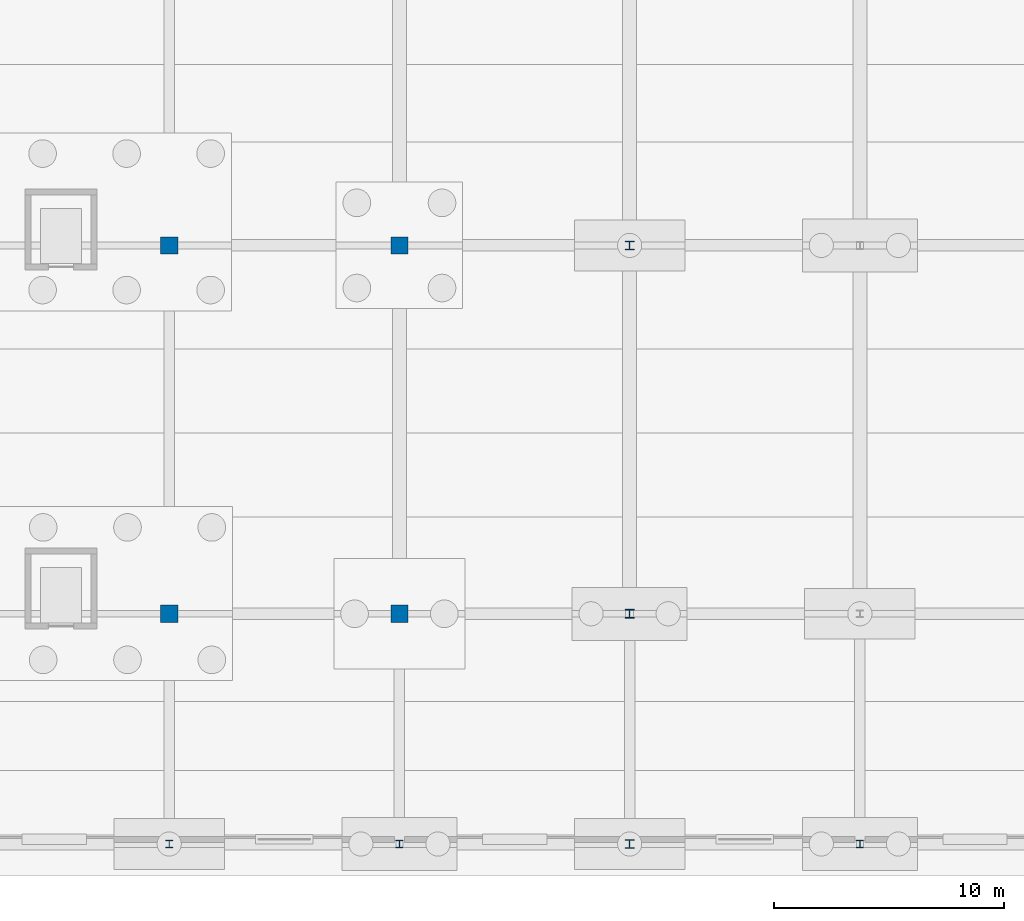
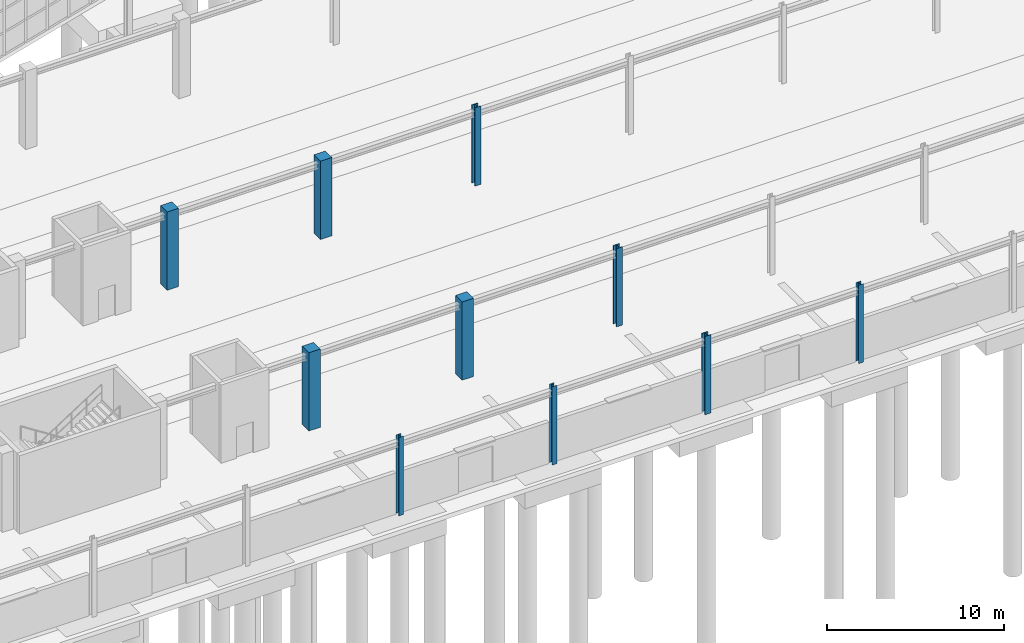
# One storey, part 13 of 99: 10 columns.
"""IFC4 building model written with IfcOpenShell, lengths in metres."""

from ifc_helpers import new_model, si_unit, direction, frame, origin, origin_2d, place, context, subcontext, project, spatial, rectangle, i_section, extrude, material, material_profile, profile_set, type_object, element, save


model = new_model("IFC4")

# Units and contexts
model_context = context("Model", 3, precision=1e-05, world=origin(), true_north=direction((0.0, 1.0)))
body_context = subcontext(model_context, "Body", "Model", "MODEL_VIEW")
ifc_project = project(units=[si_unit("LENGTHUNIT", "METRE"), si_unit("AREAUNIT", "SQUARE_METRE"), si_unit("VOLUMEUNIT", "CUBIC_METRE"), si_unit("PLANEANGLEUNIT", "RADIAN"), si_unit("MASSUNIT", "GRAM", prefix="KILO")], contexts=[model_context])

# Site, building, storey
site_placement = place(None, origin())
site = spatial("IfcSite", under=ifc_project, at=site_placement, CompositionType="ELEMENT")
building_placement = place(site_placement, origin())
building = spatial("IfcBuilding", under=site, at=building_placement, Name="Kivolera Central Railway Station", CompositionType="ELEMENT")
storey_placement = place(building_placement, origin())
storey = spatial("IfcBuildingStorey", under=building, at=storey_placement, Name="L00", CompositionType="ELEMENT", Elevation=0.0)

# Columns
ifc_material_1 = material(Name="Concrete C40/50", Category="concrete")
ifc_material_profile_1 = material_profile(ifc_material_1, rectangle(XDim=0.75, YDim=0.75, at=origin_2d()), Name="RC 750x750")
ifc_profile_set_1 = profile_set([ifc_material_profile_1], Name="Concrete C40/50")
column_type_1 = type_object("IfcColumnType", Name="COL-RC-750", PredefinedType="COLUMN", material=ifc_profile_set_1)
for number, where, z_axis, x_axis, name in (
    (1, (78.0, 16.0, 0.0), (0.0, 0.0, 1.0), (1.0, 0.0, 0.0), "L00 Train Shed Column 8-B"),
    (2, (78.0, 32.0, 0.0), (0.0, 0.0, 1.0), (1.0, 0.0, 0.0), "L00 Train Shed Column 8-C"),
    (3, (88.0, 16.0, 0.0), (0.0, 0.0, 1.0), (1.0, 0.0, 0.0), "L00 Train Shed Column 9-B"),
    (4, (88.0, 32.0, 0.0), (0.0, 0.0, 1.0), (1.0, 0.0, 0.0), "L00 Train Shed Column 9-C"),
):
    element("IfcColumn", number, at=place(storey_placement, frame(where, z_axis=z_axis, x_axis=x_axis)), inside=storey, type_object=column_type_1, Name=name, PredefinedType="COLUMN", context=body_context, shape_type="SweptSolid", body=[
        extrude(rectangle(XDim=0.75, YDim=0.75, at=origin_2d()), origin(), (0.0, 0.0, 1.0), 5.39990234375),
    ])
ifc_material_2 = material(Name="Steel S355", Category="steel")
ifc_material_profile_2 = material_profile(ifc_material_2, i_section(OverallWidth=0.30908203125, OverallDepth=0.320556640625, WebThickness=0.013916015625, FlangeThickness=0.021728515625, FilletRadius=0.01513671875, at=origin_2d()), Name="UC 305x305x137")
ifc_profile_set_2 = profile_set([ifc_material_profile_2], Name="Steel S355")
column_type_2 = type_object("IfcColumnType", Name="COL-STL-UC305", PredefinedType="COLUMN", material=ifc_profile_set_2)
for number, where, z_axis, x_axis, name in (
    (5, (78.0, 6.0, 0.0), (0.0, 0.0, 1.0), (1.0, 0.0, 0.0), "L00 Train Shed Column 8-A"),
    (6, (88.0, 6.0, 0.0), (0.0, 0.0, 1.0), (1.0, 0.0, 0.0), "L00 Train Shed Column 9-A"),
    (7, (108.0, 6.0, 0.0), (0.0, 0.0, 1.0), (1.0, 0.0, 0.0), "L00 Train Shed Column 11-A"),
):
    element("IfcColumn", number, at=place(storey_placement, frame(where, z_axis=z_axis, x_axis=x_axis)), inside=storey, type_object=column_type_2, Name=name, PredefinedType="COLUMN", context=body_context, shape_type="SweptSolid", body=[
        extrude(i_section(OverallWidth=0.30908203125, OverallDepth=0.320556640625, WebThickness=0.013916015625, FlangeThickness=0.021728515625, FilletRadius=0.01513671875, at=origin_2d()), origin(), (0.0, 0.0, 1.0), 5.39990234375),
    ])
ifc_material_profile_3 = material_profile(ifc_material_2, i_section(OverallWidth=0.394775390625, OverallDepth=0.381103515625, WebThickness=0.018310546875, FlangeThickness=0.0302734375, FilletRadius=0.01513671875, at=origin_2d()), Name="UC 356x406x235")
ifc_profile_set_3 = profile_set([ifc_material_profile_3], Name="Steel S355")
column_type_3 = type_object("IfcColumnType", Name="COL-STL-UC356", PredefinedType="COLUMN", material=ifc_profile_set_3)
for number, where, z_axis, x_axis, name in (
    (8, (98.0, 6.0, 0.0), (0.0, 0.0, 1.0), (1.0, 0.0, 0.0), "L00 Train Shed Column 10-A"),
    (9, (98.0, 16.0, 0.0), (0.0, 0.0, 1.0), (1.0, 0.0, 0.0), "L00 Train Shed Column 10-B"),
    (10, (98.0, 32.0, 0.0), (0.0, 0.0, 1.0), (1.0, 0.0, 0.0), "L00 Train Shed Column 10-C"),
):
    element("IfcColumn", number, at=place(storey_placement, frame(where, z_axis=z_axis, x_axis=x_axis)), inside=storey, type_object=column_type_3, Name=name, PredefinedType="COLUMN", context=body_context, shape_type="SweptSolid", body=[
        extrude(i_section(OverallWidth=0.394775390625, OverallDepth=0.381103515625, WebThickness=0.018310546875, FlangeThickness=0.0302734375, FilletRadius=0.01513671875, at=origin_2d()), origin(), (0.0, 0.0, 1.0), 5.39990234375),
    ])

save(model, "model.ifc")
